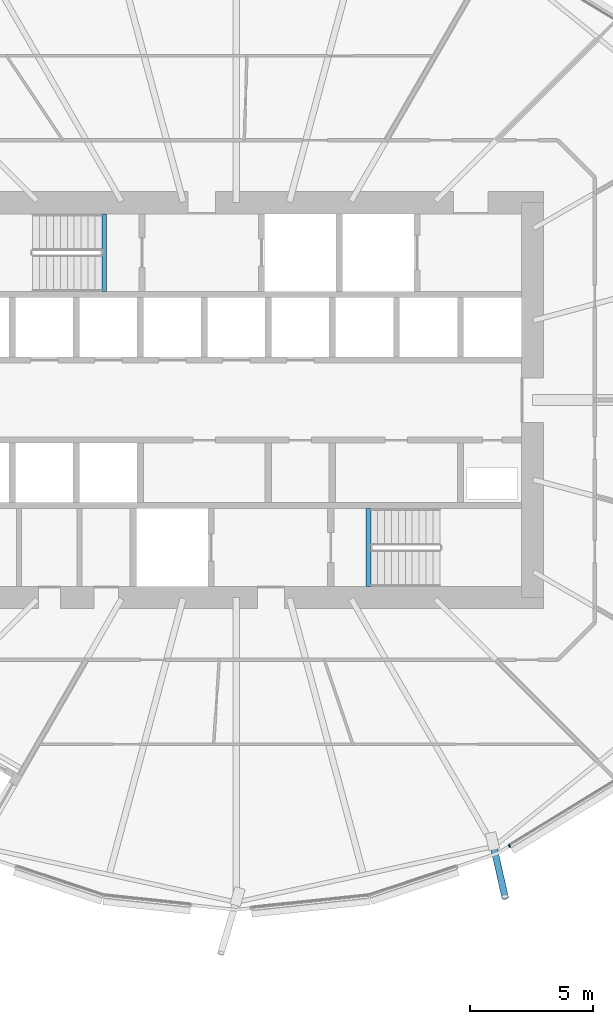
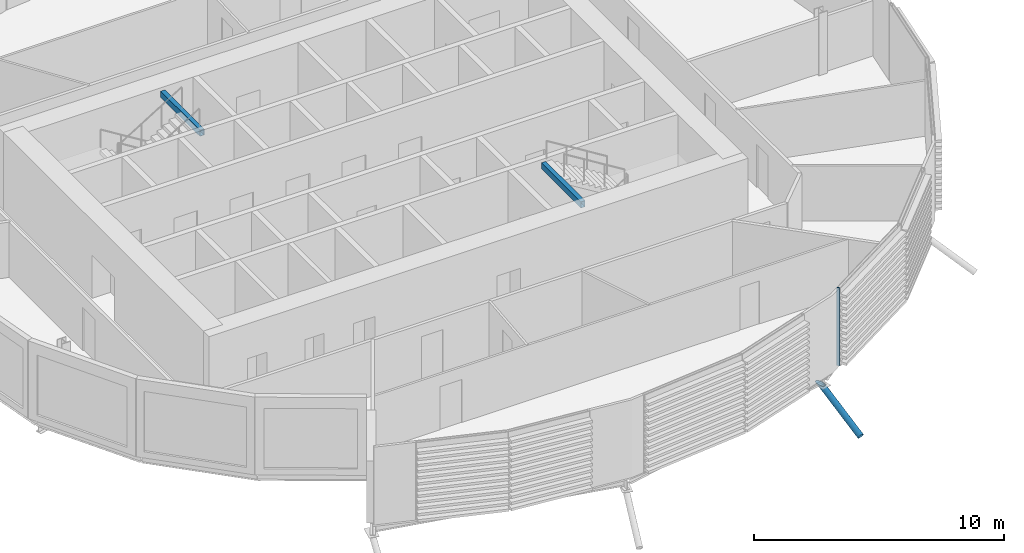
# One storey, part 6 of 38: 2 beams, 2 members, 1 element without a shape of its own.
"""IFC4 building model written with IfcOpenShell, lengths in metres."""

from ifc_helpers import new_model, si_unit, direction, frame, origin, origin_2d, place, context, subcontext, project, spatial, rectangle, hollow_rectangle, hollow_circle, extrude, clip, halfspace, material, material_profile, profile_set, type_object, element, aggregate, save


model = new_model("IFC4")

# Units and contexts
model_context = context("Model", 3, precision=1e-05, world=origin(), true_north=direction((0.0, 1.0)))
body_context = subcontext(model_context, "Body", "Model", "MODEL_VIEW")
ifc_project = project(units=[si_unit("LENGTHUNIT", "METRE"), si_unit("AREAUNIT", "SQUARE_METRE"), si_unit("VOLUMEUNIT", "CUBIC_METRE"), si_unit("PLANEANGLEUNIT", "RADIAN"), si_unit("MASSUNIT", "GRAM", prefix="KILO")], contexts=[model_context])

# Site, building, storey
site_placement = place(None, origin())
site = spatial("IfcSite", under=ifc_project, at=site_placement, CompositionType="ELEMENT")
building_placement = place(site_placement, origin())
building = spatial("IfcBuilding", under=site, at=building_placement, Name="Rimbun Link Towers", CompositionType="ELEMENT")
storey_placement = place(building_placement, frame((0.0, 0.0, 56.60009765625)))
storey = spatial("IfcBuildingStorey", under=building, at=storey_placement, Name="L13", CompositionType="ELEMENT", Elevation=56.60009765625)

# Curtain wall, member
ifc_material_1 = material(Name="Aluminium 6063-T6 and low-iron glass", Category="aluminium")
curtain_wall_type = type_object("IfcCurtainWallType", Name="CW1 unitised vision wall", PredefinedType="NOTDEFINED", material=ifc_material_1)
curtain_wall_placement = place(storey_placement, origin())
curtain_wall = element("IfcCurtainWall", 1, at=curtain_wall_placement, inside=storey, type_object=curtain_wall_type, Name="CW1 L13 T1", PredefinedType="NOTDEFINED")
ifc_material_2 = material(Name="Aluminium 6063-T6", Category="aluminium")
ifc_material_profile_1 = material_profile(ifc_material_2, rectangle(XDim=0.1201171875, YDim=0.06005859375, at=origin_2d()), Name="MULLION 60X120")
ifc_profile_set_1 = profile_set([ifc_material_profile_1], Name="Aluminium 6063-T6")
member_type_1 = type_object("IfcMemberType", Name="CW1 mullion 60X120", PredefinedType="MULLION", material=ifc_profile_set_1)
member_1_placement = place(storey_placement, frame((-20.678955078125, -18.07275390625, 0.0), z_axis=(0.0, 0.0, 1.0), x_axis=(0.523243332621, -0.852183322336, 0.0)))
member_1 = element("IfcMember", 2, at=member_1_placement, type_object=member_type_1, Name="CW1 mullion", PredefinedType="MULLION", context=body_context, shape_type="SweptSolid", body=[
    extrude(rectangle(XDim=0.1201171875, YDim=0.06005859375, at=origin_2d()), origin(), (0.0, 0.0, 1.0), 3.7998046875),
])
aggregate(curtain_wall, [member_1])

# Member
ifc_material_3 = material(Name="Steel S355J2H", Category="steel")
ifc_material_profile_2 = material_profile(ifc_material_3, hollow_circle(Radius=0.136474609375, WallThickness=0.012451171875, at=origin_2d()), Name="CHS 273x12.5")
ifc_profile_set_2 = profile_set([ifc_material_profile_2], Name="Steel S355J2H")
member_type_2 = type_object("IfcMemberType", Name="Floor edge link CHS 273x12.5", PredefinedType="BRACE", material=ifc_profile_set_2)
member_2_placement = place(storey_placement, frame((-21.33154296875, -18.045166015625, -0.880615234375), z_axis=(0.190487395682, -0.845129727421, -0.499470015032), x_axis=(0.975527318189, 0.21987826511, 0.0)))
element("IfcMember", 3, at=member_2_placement, inside=storey, type_object=member_type_2, Name="Floor edge link T1 L13 20", PredefinedType="BRACE", context=body_context, shape_type="Clipping", body=[
    clip(extrude(hollow_circle(Radius=0.136474609375, WallThickness=0.012451171875, at=origin_2d()), frame((0.0, 0.0, -0.493408203125)), (0.0, 0.0, 1.0), 3.0029296875), halfspace(frame((0.0, 0.0, -0.232177734375), z_axis=(0.0, 0.8663311746, -0.499470015032)), False)),
])

# Beams
ifc_material_4 = material(Name="Steel S355J2", Category="steel")
ifc_material_profile_3 = material_profile(ifc_material_4, hollow_rectangle(XDim=0.199951171875, YDim=0.300048828125, WallThickness=0.011962890625, at=origin_2d()), Name="BOX 300x200x12")
ifc_profile_set_3 = profile_set([ifc_material_profile_3], Name="Steel S355J2")
beam_type = type_object("IfcBeamType", Name="Stair trimmer beam BOX 300x200x12", PredefinedType="BEAM", material=ifc_profile_set_3)
for number, where, z_axis, x_axis, name in (
    (4, (-37.10009765625, 7.550048828125, 3.489990234375), (0.0, -1.0, 0.0), (1.0, 0.0, 0.0), "L13 ST1 stair beam 1"),
    (5, (-26.39990234375, -7.550048828125, 3.489990234375), (0.0, 1.0, 0.0), (-1.0, 0.0, 0.0), "L13 ST2 stair beam 1"),
):
    element("IfcBeam", number, at=place(storey_placement, frame(where, z_axis=z_axis, x_axis=x_axis)), inside=storey, type_object=beam_type, Name=name, PredefinedType="BEAM", context=body_context, shape_type="SweptSolid", body=[
        extrude(hollow_rectangle(XDim=0.199951171875, YDim=0.300048828125, WallThickness=0.011962890625, at=origin_2d()), origin(), (0.0, 0.0, 1.0), 3.150146484375),
    ])

save(model, "model.ifc")
